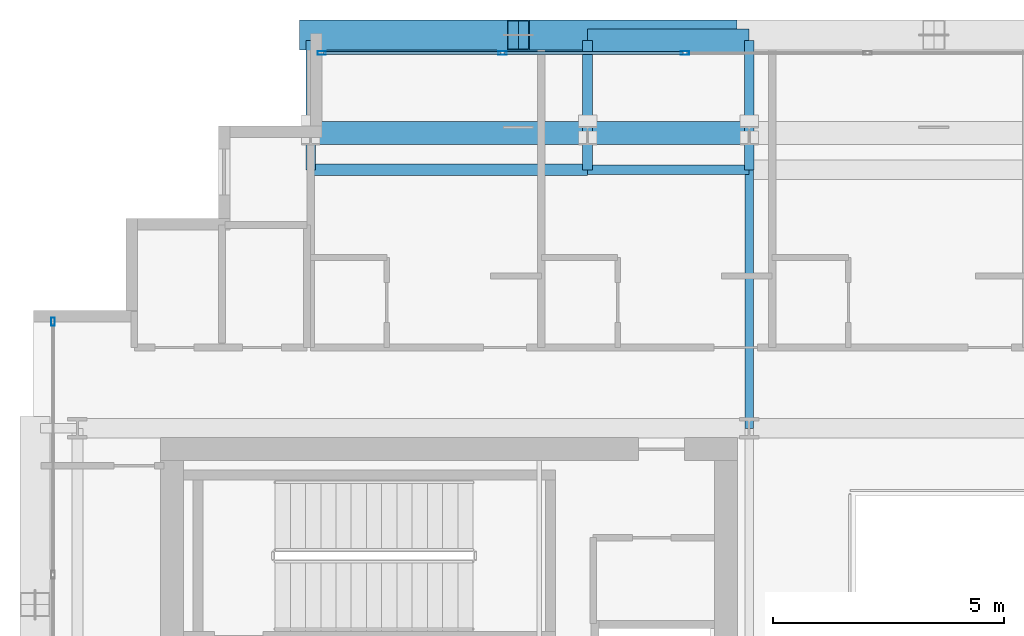
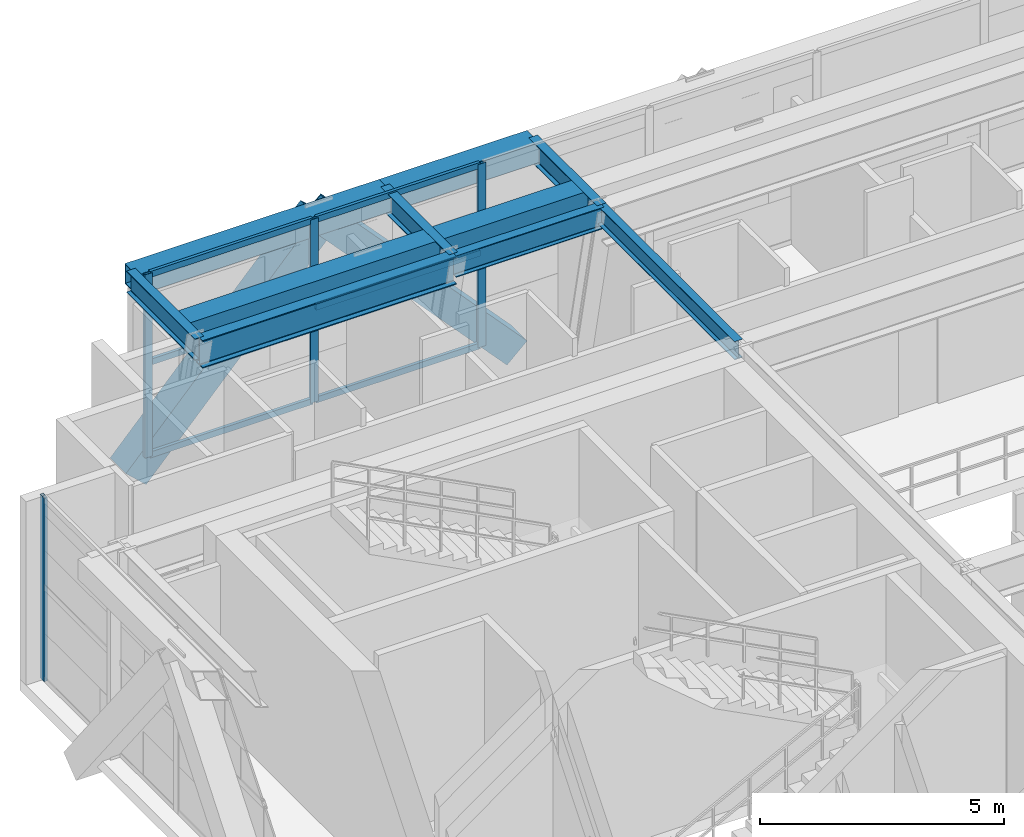
# One storey, part 15 of 31: 12 members, 10 beams, 2 elements without a shape of their own.
"""IFC4 building model written with IfcOpenShell, lengths in metres."""

from ifc_helpers import new_model, si_unit, direction, frame, origin, origin_2d, place, context, subcontext, project, spatial, hollow_rectangle, i_section, extrude, source, transform, mapped, material, layer, layer_set, material_profile, profile_set, type_object, element, aggregate, save


model = new_model("IFC4")

# Units and contexts
model_context = context("Model", 3, precision=1e-05, world=origin(), true_north=direction((0.0, 1.0)))
body_context = subcontext(model_context, "Body", "Model", "MODEL_VIEW")
ifc_project = project(units=[si_unit("LENGTHUNIT", "METRE"), si_unit("AREAUNIT", "SQUARE_METRE"), si_unit("VOLUMEUNIT", "CUBIC_METRE"), si_unit("PLANEANGLEUNIT", "RADIAN"), si_unit("MASSUNIT", "GRAM", prefix="KILO")], contexts=[model_context])

# Site, building, storey
site_placement = place(None, origin())
site = spatial("IfcSite", under=ifc_project, at=site_placement, CompositionType="ELEMENT")
building_placement = place(site_placement, origin())
building = spatial("IfcBuilding", under=site, at=building_placement, Name="Ocotamira Hotel", CompositionType="ELEMENT")
storey_placement = place(building_placement, frame((0.0, 0.0, 228.0)))
storey = spatial("IfcBuildingStorey", under=building, at=storey_placement, Name="L57", CompositionType="ELEMENT", Elevation=228.0)

# Beams
ifc_material_1 = material(Name="Steel ASTM A992 Grade 50", Category="steel")
ifc_material_profile_1 = material_profile(ifc_material_1, i_section(OverallWidth=0.256103515625, OverallDepth=0.693115234375, WebThickness=0.014404296875, FlangeThickness=0.023681640625, FilletRadius=0.01611328125, at=origin_2d()), Name="W27X114")
ifc_profile_set_1 = profile_set([ifc_material_profile_1], Name="Steel ASTM A992 Grade 50")
beam_type_1 = type_object("IfcBeamType", Name="BM-PRIM-W27X114", PredefinedType="BEAM", material=ifc_profile_set_1)
shared_shape_1 = source(origin(), body_context, "Body", "SweptSolid", [
    extrude(i_section(OverallWidth=0.256103515625, OverallDepth=0.693115234375, WebThickness=0.014404296875, FlangeThickness=0.023681640625, FilletRadius=0.01611328125, at=origin_2d()), origin(), (0.0, 0.0, 1.0), 6.0),
])
beam_1_placement = place(storey_placement, frame((14.0, 43.050048828125, 4.2333984375), z_axis=(1.0, 0.0, 0.0), x_axis=(0.0, 1.0, 0.0)))
element("IfcBeam", 1, at=beam_1_placement, inside=storey, type_object=beam_type_1, Name="L57 Girder Y43.05 X14-20", PredefinedType="BEAM", context=body_context, shape_type="MappedRepresentation", body=[
    mapped(shared_shape_1, transform((0.0, 0.0, 0.0), scale=1.0)),
])
ifc_material_profile_2 = material_profile(ifc_material_1, i_section(OverallWidth=0.2099609375, OverallDepth=0.537109375, WebThickness=0.010986328125, FlangeThickness=0.017333984375, FilletRadius=0.012939453125, at=origin_2d()), Name="W21X68")
ifc_profile_set_2 = profile_set([ifc_material_profile_2], Name="Steel ASTM A992 Grade 50")
beam_type_2 = type_object("IfcBeamType", Name="BM-SEC-W21X68", PredefinedType="JOIST", material=ifc_profile_set_2)
shared_shape_2 = source(origin(), body_context, "Body", "SweptSolid", [
    extrude(i_section(OverallWidth=0.2099609375, OverallDepth=0.537109375, WebThickness=0.010986328125, FlangeThickness=0.017333984375, FilletRadius=0.012939453125, at=origin_2d()), origin(), (0.0, 0.0, 1.0), 3.5),
])
beam_2_placement = place(storey_placement, frame((20.0, 43.050048828125, 4.3115234375), z_axis=(1.0, 0.0, 0.0), x_axis=(0.0, 1.0, 0.0)))
element("IfcBeam", 2, at=beam_2_placement, inside=storey, type_object=beam_type_2, Name="L57 Girder Y43.05 X20-23.5", PredefinedType="JOIST", context=body_context, shape_type="MappedRepresentation", body=[
    mapped(shared_shape_2, transform((0.0, 0.0, 0.0), scale=1.0)),
])
ifc_material_2 = material(Name="Steel ASTM A500 Grade C", Category="steel")
ifc_material_profile_3 = material_profile(ifc_material_2, hollow_rectangle(XDim=0.5, YDim=0.5, WallThickness=0.02001953125, at=origin_2d()), Name="HSS500X500X20")
ifc_profile_set_3 = profile_set([ifc_material_profile_3], Name="Steel ASTM A500 Grade C")
beam_type_3 = type_object("IfcBeamType", Name="BM-SPAN-HSS500", PredefinedType="USERDEFINED", material=ifc_profile_set_3)
shared_shape_3 = source(origin(), body_context, "Body", "SweptSolid", [
    extrude(hollow_rectangle(XDim=0.5, YDim=0.5, WallThickness=0.02001953125, at=origin_2d()), origin(), (0.0, 0.0, 1.0), 6.0),
])
for number, where, z_axis, x_axis, name in (
    (3, (14.0, 43.85009765625, 4.330078125), (1.0, 0.0, 0.0), (0.0, 1.0, 0.0), "L57 Inner Setback Spandrel N X14"),
    (4, (14.0, 45.85009765625, 4.330078125), (1.0, 0.0, 0.0), (0.0, 1.0, 0.0), "L57 Edge Spandrel N X14-20"),
):
    element("IfcBeam", number, at=place(storey_placement, frame(where, z_axis=z_axis, x_axis=x_axis)), inside=storey, type_object=beam_type_3, Name=name, ObjectType="SPANDREL", PredefinedType="USERDEFINED", context=body_context, shape_type="MappedRepresentation", body=[
        mapped(shared_shape_3, transform((0.0, 0.0, 0.0), scale=1.0)),
    ])
shared_shape_4 = source(origin(), body_context, "Body", "SweptSolid", [
    extrude(hollow_rectangle(XDim=0.5, YDim=0.5, WallThickness=0.02001953125, at=origin_2d()), origin(), (0.0, 0.0, 1.0), 3.5),
])
for number, where, z_axis, x_axis, name in (
    (5, (20.0, 43.85009765625, 4.330078125), (1.0, 0.0, 0.0), (0.0, 1.0, 0.0), "L57 Inner Setback Spandrel N X20"),
    (6, (20.0, 45.85009765625, 4.330078125), (1.0, 0.0, 0.0), (0.0, 1.0, 0.0), "L57 Edge Spandrel N X20-23.5"),
):
    element("IfcBeam", number, at=place(storey_placement, frame(where, z_axis=z_axis, x_axis=x_axis)), inside=storey, type_object=beam_type_3, Name=name, ObjectType="SPANDREL", PredefinedType="USERDEFINED", context=body_context, shape_type="MappedRepresentation", body=[
        mapped(shared_shape_4, transform((0.0, 0.0, 0.0), scale=1.0)),
    ])
shared_shape_5 = source(origin(), body_context, "Body", "SweptSolid", [
    extrude(i_section(OverallWidth=0.2099609375, OverallDepth=0.537109375, WebThickness=0.010986328125, FlangeThickness=0.017333984375, FilletRadius=0.012939453125, at=origin_2d()), origin(), (0.0, 0.0, 1.0), 2.800048828125),
])
for number, where, z_axis, x_axis, name in (
    (7, (14.0, 43.050048828125, 4.3115234375), (0.0, 1.0, 0.0), (-1.0, 0.0, 0.0), "L57 North Edge Header X14"),
    (8, (20.0, 43.050048828125, 4.3115234375), (0.0, 1.0, 0.0), (-1.0, 0.0, 0.0), "L57 North Edge Header X20"),
    (9, (23.5, 43.050048828125, 4.3115234375), (0.0, 1.0, 0.0), (-1.0, 0.0, 0.0), "L57 North Edge Header X23.5"),
):
    element("IfcBeam", number, at=place(storey_placement, frame(where, z_axis=z_axis, x_axis=x_axis)), inside=storey, type_object=beam_type_2, Name=name, PredefinedType="JOIST", context=body_context, shape_type="MappedRepresentation", body=[
        mapped(shared_shape_5, transform((0.0, 0.0, 0.0), scale=1.0)),
    ])
ifc_material_profile_4 = material_profile(ifc_material_1, i_section(OverallWidth=0.18994140625, OverallDepth=0.45703125, WebThickness=0.009033203125, FlangeThickness=0.014404296875, FilletRadius=0.010009765625, at=origin_2d()), Name="W18X50")
ifc_profile_set_4 = profile_set([ifc_material_profile_4], Name="Steel ASTM A992 Grade 50")
beam_type_4 = type_object("IfcBeamType", Name="BM-SEC-W18X50", PredefinedType="JOIST", material=ifc_profile_set_4)
shared_shape_6 = source(origin(), body_context, "Body", "SweptSolid", [
    extrude(i_section(OverallWidth=0.18994140625, OverallDepth=0.45703125, WebThickness=0.009033203125, FlangeThickness=0.014404296875, FilletRadius=0.010009765625, at=origin_2d()), origin(), (0.0, 0.0, 1.0), 5.60009765625),
])
beam_3_placement = place(storey_placement, frame((23.5, 37.449951171875, 4.3515625), z_axis=(0.0, 1.0, 0.0), x_axis=(-1.0, 0.0, 0.0)))
element("IfcBeam", 10, at=beam_3_placement, inside=storey, type_object=beam_type_4, Name="L57 Beam X23.5 Y37.45-43.05", PredefinedType="JOIST", context=body_context, shape_type="MappedRepresentation", body=[
    mapped(shared_shape_6, transform((0.0, 0.0, 0.0), scale=1.0)),
])

# Members
ifc_material_3 = material(Name="Pale-metal coated steel ASTM A913 Grade 65", Category="steel")
ifc_material_profile_5 = material_profile(ifc_material_3, hollow_rectangle(XDim=0.64990234375, YDim=0.64990234375, WallThickness=0.02197265625, at=origin_2d()), Name="BOX650X650X22")
ifc_profile_set_5 = profile_set([ifc_material_profile_5], Name="Pale-metal coated steel ASTM A913 Grade 65")
member_type_1 = type_object("IfcMemberType", Name="MEM-EXO-BOX650", PredefinedType="BRACE", material=ifc_profile_set_5)
shared_shape_7 = source(origin(), body_context, "Body", "SweptSolid", [
    extrude(hollow_rectangle(XDim=0.64990234375, YDim=0.64990234375, WallThickness=0.02197265625, at=origin_2d()), origin(), (0.0, 0.0, 1.0), 6.62353515625),
])
for number, where, z_axis, x_axis, name in (
    (11, (14.0, 45.969970703125, -0.530029296875), (0.679399946256, 0.0, 0.733768160271), (0.0, 1.0, 0.0), "L57 Exoskeleton Diagrid N0.1"),
    (12, (23.0, 45.969970703125, -0.530029296875), (-0.679399946256, 0.0, 0.733768160271), (0.0, -1.0, 0.0), "L57 Exoskeleton Diagrid N0.2"),
):
    element("IfcMember", number, at=place(storey_placement, frame(where, z_axis=z_axis, x_axis=x_axis)), inside=storey, type_object=member_type_1, Name=name, PredefinedType="BRACE", context=body_context, shape_type="MappedRepresentation", body=[
        mapped(shared_shape_7, transform((0.0, 0.0, 0.0), scale=1.0)),
    ])

# Curtain wall, members
ifc_material_4 = material(Name="Anodised pale-metal aluminium and solar glass", Category="aluminium")
ifc_layer = layer(ifc_material_4, 0.239990234375)
ifc_layer_set = layer_set([ifc_layer], Name="Anodised pale-metal aluminium and solar glass")
curtain_wall_type = type_object("IfcCurtainWallType", Name="CW-SYS5-SKY", PredefinedType="NOTDEFINED", material=ifc_layer_set)
curtain_wall_1_placement = place(storey_placement, origin())
curtain_wall_1 = element("IfcCurtainWall", 13, at=curtain_wall_1_placement, inside=storey, type_object=curtain_wall_type, Name="L57 Curtain Wall CW-5 CW-L57-N", PredefinedType="NOTDEFINED")
ifc_material_5 = material(Name="Anodised pale-metal aluminium 6063-T6", Category="aluminium")
ifc_material_profile_6 = material_profile(ifc_material_5, hollow_rectangle(XDim=0.074951171875, YDim=0.14990234375, WallThickness=0.006103515625, at=origin_2d()), Name="HSS150X75X6")
ifc_profile_set_6 = profile_set([ifc_material_profile_6], Name="Anodised pale-metal aluminium 6063-T6")
member_type_2 = type_object("IfcMemberType", Name="CWT-150X75", PredefinedType="USERDEFINED", material=ifc_profile_set_6)
shared_shape_8 = source(origin(), body_context, "Body", "SweptSolid", [
    extrude(hollow_rectangle(XDim=0.074951171875, YDim=0.14990234375, WallThickness=0.006103515625, at=origin_2d()), origin(), (0.0, 0.0, 1.0), 3.83544921875),
])
member_1_placement = place(storey_placement, frame((14.280029296875, 45.580078125, 0.03759765625), z_axis=(1.0, 0.0, 0.0), x_axis=(0.0, 1.0, 0.0)))
member_1 = element("IfcMember", 14, at=member_1_placement, type_object=member_type_2, Name="CW-5 transom 1.1", ObjectType="TRANSOM", PredefinedType="USERDEFINED", context=body_context, shape_type="MappedRepresentation", body=[
    mapped(shared_shape_8, transform((0.0, 0.0, 0.0), scale=1.0)),
])
member_2_placement = place(storey_placement, frame((14.280029296875, 45.580078125, 2.35009765625), z_axis=(1.0, 0.0, 0.0), x_axis=(0.0, 1.0, 0.0)))
member_2 = element("IfcMember", 15, at=member_2_placement, type_object=member_type_2, Name="CW-5 transom 1.2", ObjectType="TRANSOM", PredefinedType="USERDEFINED", context=body_context, shape_type="MappedRepresentation", body=[
    mapped(shared_shape_8, transform((0.0, 0.0, 0.0), scale=1.0)),
])
member_3_placement = place(storey_placement, frame((14.280029296875, 45.580078125, 4.54248046875), z_axis=(1.0, 0.0, 0.0), x_axis=(0.0, 1.0, 0.0)))
member_3 = element("IfcMember", 16, at=member_3_placement, type_object=member_type_2, Name="CW-5 transom 1.3", ObjectType="TRANSOM", PredefinedType="USERDEFINED", context=body_context, shape_type="MappedRepresentation", body=[
    mapped(shared_shape_8, transform((0.0, 0.0, 0.0), scale=1.0)),
])
shared_shape_9 = source(origin(), body_context, "Body", "SweptSolid", [
    extrude(hollow_rectangle(XDim=0.074951171875, YDim=0.14990234375, WallThickness=0.006103515625, at=origin_2d()), origin(), (0.0, 0.0, 1.0), 3.87548828125),
])
member_4_placement = place(storey_placement, frame((18.195556640625, 45.580078125, 0.03759765625), z_axis=(1.0, 0.0, 0.0), x_axis=(0.0, 1.0, 0.0)))
member_4 = element("IfcMember", 17, at=member_4_placement, type_object=member_type_2, Name="CW-5 transom 2.1", ObjectType="TRANSOM", PredefinedType="USERDEFINED", context=body_context, shape_type="MappedRepresentation", body=[
    mapped(shared_shape_9, transform((0.0, 0.0, 0.0), scale=1.0)),
])
member_5_placement = place(storey_placement, frame((18.195556640625, 45.580078125, 2.35009765625), z_axis=(1.0, 0.0, 0.0), x_axis=(0.0, 1.0, 0.0)))
member_5 = element("IfcMember", 18, at=member_5_placement, type_object=member_type_2, Name="CW-5 transom 2.2", ObjectType="TRANSOM", PredefinedType="USERDEFINED", context=body_context, shape_type="MappedRepresentation", body=[
    mapped(shared_shape_9, transform((0.0, 0.0, 0.0), scale=1.0)),
])
member_6_placement = place(storey_placement, frame((18.195556640625, 45.580078125, 4.54248046875), z_axis=(1.0, 0.0, 0.0), x_axis=(0.0, 1.0, 0.0)))
member_6 = element("IfcMember", 19, at=member_6_placement, type_object=member_type_2, Name="CW-5 transom 2.3", ObjectType="TRANSOM", PredefinedType="USERDEFINED", context=body_context, shape_type="MappedRepresentation", body=[
    mapped(shared_shape_9, transform((0.0, 0.0, 0.0), scale=1.0)),
])
ifc_material_profile_7 = material_profile(ifc_material_5, hollow_rectangle(XDim=0.080078125, YDim=0.179931640625, WallThickness=0.006103515625, at=origin_2d()), Name="HSS180X80X6")
ifc_profile_set_7 = profile_set([ifc_material_profile_7], Name="Anodised pale-metal aluminium 6063-T6")
member_type_3 = type_object("IfcMemberType", Name="CWM-180X75", PredefinedType="MULLION", material=ifc_profile_set_7)
shared_shape_10 = source(origin(), body_context, "Body", "SweptSolid", [
    extrude(hollow_rectangle(XDim=0.080078125, YDim=0.179931640625, WallThickness=0.006103515625, at=origin_2d()), origin(), (0.0, 0.0, 1.0), 4.580078125),
])
member_7_placement = place(storey_placement, frame((14.239990234375, 45.580078125, 0.0), z_axis=(0.0, 0.0, 1.0), x_axis=(0.0, 1.0, 0.0)))
member_7 = element("IfcMember", 20, at=member_7_placement, type_object=member_type_3, Name="CW-5 mullion 1", PredefinedType="MULLION", context=body_context, shape_type="MappedRepresentation", body=[
    mapped(shared_shape_10, transform((0.0, 0.0, 0.0), scale=1.0)),
])
member_8_placement = place(storey_placement, frame((18.155517578125, 45.580078125, 0.0), z_axis=(0.0, 0.0, 1.0), x_axis=(0.0, 1.0, 0.0)))
member_8 = element("IfcMember", 21, at=member_8_placement, type_object=member_type_3, Name="CW-5 mullion 2", PredefinedType="MULLION", context=body_context, shape_type="MappedRepresentation", body=[
    mapped(shared_shape_10, transform((0.0, 0.0, 0.0), scale=1.0)),
])
member_9_placement = place(storey_placement, frame((22.111083984375, 45.580078125, 0.0), z_axis=(0.0, 0.0, 1.0), x_axis=(0.0, 1.0, 0.0)))
member_9 = element("IfcMember", 22, at=member_9_placement, type_object=member_type_3, Name="CW-5 mullion 3", PredefinedType="MULLION", context=body_context, shape_type="MappedRepresentation", body=[
    mapped(shared_shape_10, transform((0.0, 0.0, 0.0), scale=1.0)),
])
aggregate(curtain_wall_1, [member_7, member_8, member_9, member_1, member_2, member_3, member_4, member_5, member_6])

# Curtain wall, member
curtain_wall_2_placement = place(storey_placement, origin())
curtain_wall_2 = element("IfcCurtainWall", 23, at=curtain_wall_2_placement, inside=storey, type_object=curtain_wall_type, Name="L57 Curtain Wall CW-5 CW-L57-W", PredefinedType="NOTDEFINED")
member_10_placement = place(storey_placement, frame((8.419921875, 39.760009765625, 0.0), z_axis=(0.0, 0.0, 1.0), x_axis=(-1.0, 0.0, 0.0)))
member_10 = element("IfcMember", 24, at=member_10_placement, type_object=member_type_3, Name="CW-5 mullion 6", PredefinedType="MULLION", context=body_context, shape_type="MappedRepresentation", body=[
    mapped(shared_shape_10, transform((0.0, 0.0, 0.0), scale=1.0)),
])
aggregate(curtain_wall_2, [member_10])

save(model, "model.ifc")
